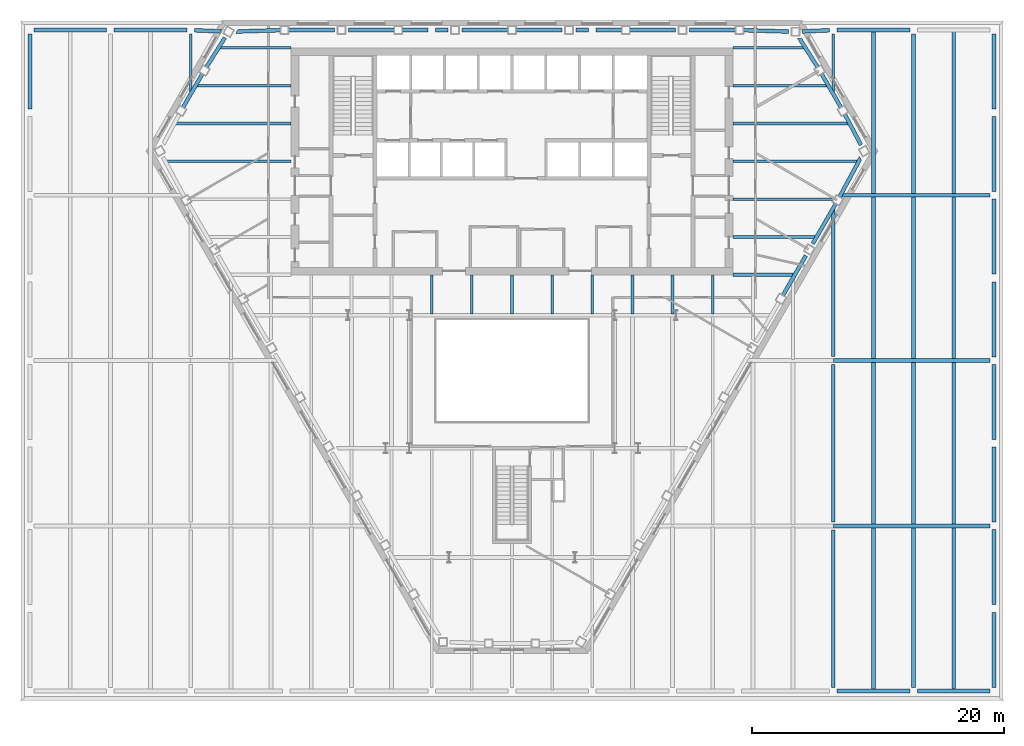
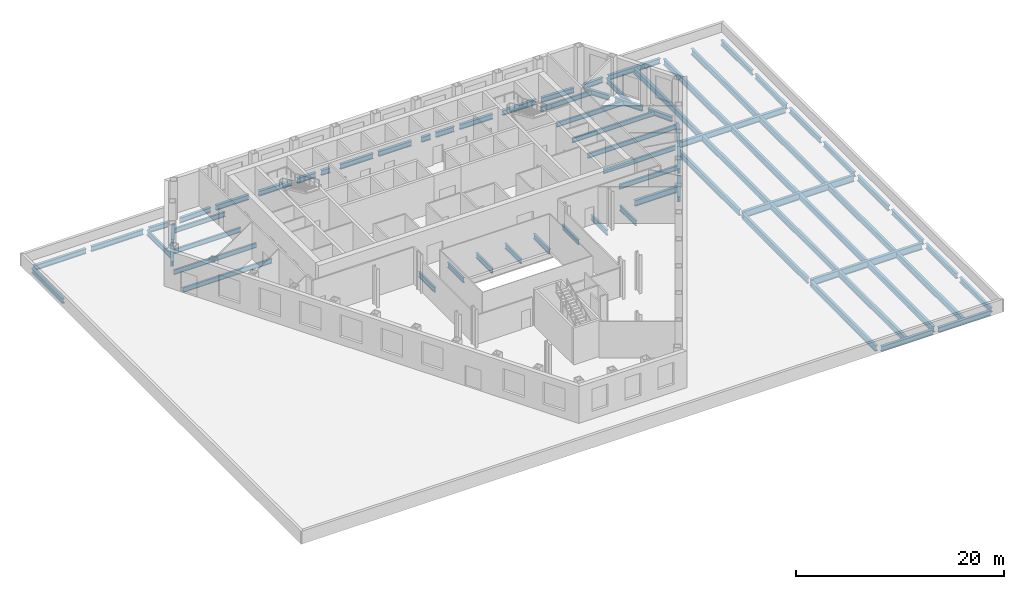
# One storey, part 4 of 14: 75 beams.
"""IFC4 building model written with IfcOpenShell, lengths in metres."""

from ifc_helpers import new_model, si_unit, direction, frame, origin, origin_2d, place, context, subcontext, project, spatial, i_section, extrude, clip, halfspace, material, material_profile, profile_set, type_object, element, save


model = new_model("IFC4")

# Units and contexts
model_context = context("Model", 3, precision=1e-05, world=origin(), true_north=direction((0.0, 1.0)))
body_context = subcontext(model_context, "Body", "Model", "MODEL_VIEW")
ifc_project = project(units=[si_unit("LENGTHUNIT", "METRE"), si_unit("AREAUNIT", "SQUARE_METRE"), si_unit("VOLUMEUNIT", "CUBIC_METRE"), si_unit("PLANEANGLEUNIT", "RADIAN"), si_unit("MASSUNIT", "GRAM", prefix="KILO")], contexts=[model_context])

# Site, building, storey
site_placement = place(None, origin())
site = spatial("IfcSite", under=ifc_project, at=site_placement, CompositionType="ELEMENT")
building_placement = place(site_placement, origin())
building = spatial("IfcBuilding", under=site, at=building_placement, Name="Njiva Tower", CompositionType="ELEMENT")
storey_placement = place(building_placement, frame((0.0, 0.0, 28.8)))
storey = spatial("IfcBuildingStorey", under=building, at=storey_placement, Name="L05", CompositionType="ELEMENT", Elevation=28.8)

# Beams
ifc_material = material(Name="Steel S355 J2", Category="steel")
ifc_material_profile_1 = material_profile(ifc_material, i_section(OverallWidth=0.21, OverallDepth=0.55, WebThickness=0.0111, FlangeThickness=0.0172, at=origin_2d()), Name="IPE 550")
ifc_profile_set_1 = profile_set([ifc_material_profile_1], Name="Steel S355 J2")
beam_type_1 = type_object("IfcBeamType", Name="B10 Floor beam to the core IPE 550", PredefinedType="BEAM", material=ifc_profile_set_1)
beam_1_placement = place(storey_placement, frame((17.5, 3.0, -0.525), z_axis=(1.0, 0.0, 0.0), x_axis=(0.0, 1.0, 0.0)))
element("IfcBeam", 1, at=beam_1_placement, inside=storey, type_object=beam_type_1, Name="Floor beam to the core S01-B007", PredefinedType="BEAM", context=body_context, shape_type="Clipping", body=[
    clip(extrude(i_section(OverallWidth=0.21, OverallDepth=0.55, WebThickness=0.0111, FlangeThickness=0.0172, at=origin_2d()), origin(), (0.0, 0.0, 1.0), 6.611), halfspace(frame((-0.025, 0.0, 6.5159), z_axis=(-0.499998009787, 0.0, 0.866026552831), x_axis=(0.0, 1.0, 0.0)), False)),
])
beam_2_placement = place(storey_placement, frame((17.5, 6.0, -0.525), z_axis=(1.0, 0.0, 0.0), x_axis=(0.0, 1.0, 0.0)))
element("IfcBeam", 2, at=beam_2_placement, inside=storey, type_object=beam_type_1, Name="Floor beam to the core S01-B008", PredefinedType="BEAM", context=body_context, shape_type="Clipping", body=[
    clip(extrude(i_section(OverallWidth=0.21, OverallDepth=0.55, WebThickness=0.0111, FlangeThickness=0.0172, at=origin_2d()), origin(), (0.0, 0.0, 1.0), 8.112), halfspace(frame((-0.025, 0.0, 8.0166), z_axis=(-0.499998009787, 0.0, 0.866026552831), x_axis=(0.0, 1.0, 0.0)), False)),
])
beam_3_placement = place(storey_placement, frame((-26.725, 12.0, -0.525), z_axis=(1.0, 0.0, 0.0), x_axis=(0.0, 1.0, 0.0)))
element("IfcBeam", 3, at=beam_3_placement, inside=storey, type_object=beam_type_1, Name="Floor beam to the core S01-B002", PredefinedType="BEAM", context=body_context, shape_type="Clipping", body=[
    clip(extrude(i_section(OverallWidth=0.21, OverallDepth=0.55, WebThickness=0.0111, FlangeThickness=0.0172, at=origin_2d()), origin(), (0.0, 0.0, 1.0), 9.225), halfspace(frame((0.0234, 0.0, 0.0883), z_axis=(0.467797664386, 0.0, -0.883835587197), x_axis=(0.0, -1.0, 0.0)), False)),
])
beam_4_placement = place(storey_placement, frame((17.5, 12.0, -0.525), z_axis=(1.0, 0.0, 0.0), x_axis=(0.0, 1.0, 0.0)))
element("IfcBeam", 4, at=beam_4_placement, inside=storey, type_object=beam_type_1, Name="Floor beam to the core S01-B010", PredefinedType="BEAM", context=body_context, shape_type="Clipping", body=[
    clip(extrude(i_section(OverallWidth=0.21, OverallDepth=0.55, WebThickness=0.0111, FlangeThickness=0.0172, at=origin_2d()), origin(), (0.0, 0.0, 1.0), 9.225), halfspace(frame((0.0234, 0.0, 9.1367), z_axis=(0.467797664386, 0.0, 0.883835587197), x_axis=(0.0, 1.0, 0.0)), False)),
])
beam_5_placement = place(storey_placement, frame((-25.044, 15.0, -0.525), z_axis=(1.0, 0.0, 0.0), x_axis=(0.0, 1.0, 0.0)))
element("IfcBeam", 5, at=beam_5_placement, inside=storey, type_object=beam_type_1, Name="Floor beam to the core S01-B004", PredefinedType="BEAM", context=body_context, shape_type="Clipping", body=[
    clip(extrude(i_section(OverallWidth=0.21, OverallDepth=0.55, WebThickness=0.0111, FlangeThickness=0.0172, at=origin_2d()), origin(), (0.0, 0.0, 1.0), 7.544), halfspace(frame((0.025, 0.0, 0.0954), z_axis=(0.499998009787, 0.0, -0.866026552831), x_axis=(0.0, -1.0, 0.0)), False)),
])
beam_6_placement = place(storey_placement, frame((17.5, 15.0, -0.525), z_axis=(1.0, 0.0, 0.0), x_axis=(0.0, 1.0, 0.0)))
element("IfcBeam", 6, at=beam_6_placement, inside=storey, type_object=beam_type_1, Name="Floor beam to the core S01-B011", PredefinedType="BEAM", context=body_context, shape_type="Clipping", body=[
    clip(extrude(i_section(OverallWidth=0.21, OverallDepth=0.55, WebThickness=0.0111, FlangeThickness=0.0172, at=origin_2d()), origin(), (0.0, 0.0, 1.0), 7.544), halfspace(frame((0.025, 0.0, 7.4486), z_axis=(0.499998009787, 0.0, 0.866026552831), x_axis=(0.0, 1.0, 0.0)), False)),
])
beam_7_placement = place(storey_placement, frame((-23.224, 18.0, -0.525), z_axis=(1.0, 0.0, 0.0), x_axis=(0.0, 1.0, 0.0)))
element("IfcBeam", 7, at=beam_7_placement, inside=storey, type_object=beam_type_1, Name="Floor beam to the core S01-B006", PredefinedType="BEAM", context=body_context, shape_type="Clipping", body=[
    clip(extrude(i_section(OverallWidth=0.21, OverallDepth=0.55, WebThickness=0.0111, FlangeThickness=0.0172, at=origin_2d()), origin(), (0.0, 0.0, 1.0), 5.724), halfspace(frame((0.0266, 0.0, 0.1025), z_axis=(0.531529760147, 0.0, -0.847039617773), x_axis=(0.0, -1.0, 0.0)), False)),
])
beam_8_placement = place(storey_placement, frame((17.5, 18.0, -0.525), z_axis=(1.0, 0.0, 0.0), x_axis=(0.0, 1.0, 0.0)))
element("IfcBeam", 8, at=beam_8_placement, inside=storey, type_object=beam_type_1, Name="Floor beam to the core S01-B012", PredefinedType="BEAM", context=body_context, shape_type="Clipping", body=[
    clip(extrude(i_section(OverallWidth=0.21, OverallDepth=0.55, WebThickness=0.0111, FlangeThickness=0.0172, at=origin_2d()), origin(), (0.0, 0.0, 1.0), 5.724), halfspace(frame((0.0266, 0.0, 5.6215), z_axis=(0.531529760147, 0.0, 0.847039617773), x_axis=(0.0, 1.0, 0.0)), False)),
])
ifc_material_profile_2 = material_profile(ifc_material, i_section(OverallWidth=0.21, OverallDepth=0.55, WebThickness=0.0111, FlangeThickness=0.0172, at=origin_2d()), Name="IPE 550")
ifc_profile_set_2 = profile_set([ifc_material_profile_2], Name="Steel S355 J2")
beam_type_2 = type_object("IfcBeamType", Name="B11 Long-span floor beam to the core IPE 550", PredefinedType="BEAM", material=ifc_profile_set_2)
beam_9_placement = place(storey_placement, frame((-27.45, 9.0, -0.525), z_axis=(1.0, 0.0, 0.0), x_axis=(0.0, 1.0, 0.0)))
element("IfcBeam", 9, at=beam_9_placement, inside=storey, type_object=beam_type_2, Name="Long-span floor beam to the core S01-B001", PredefinedType="BEAM", context=body_context, shape_type="Clipping", body=[
    clip(extrude(i_section(OverallWidth=0.21, OverallDepth=0.55, WebThickness=0.0111, FlangeThickness=0.0172, at=origin_2d()), origin(), (0.0, 0.0, 1.0), 9.95), halfspace(frame((-0.0237, 0.0, 0.0883), z_axis=(-0.473769423091, 0.0, -0.880648927634), x_axis=(0.0, -1.0, 0.0)), False)),
])
beam_10_placement = place(storey_placement, frame((17.5, 9.0, -0.525), z_axis=(1.0, 0.0, 0.0), x_axis=(0.0, 1.0, 0.0)))
element("IfcBeam", 10, at=beam_10_placement, inside=storey, type_object=beam_type_2, Name="Long-span floor beam to the core S01-B009", PredefinedType="BEAM", context=body_context, shape_type="Clipping", body=[
    clip(extrude(i_section(OverallWidth=0.21, OverallDepth=0.55, WebThickness=0.0111, FlangeThickness=0.0172, at=origin_2d()), origin(), (0.0, 0.0, 1.0), 9.95), halfspace(frame((-0.0237, 0.0, 9.8617), z_axis=(-0.473769423091, 0.0, 0.880648927634), x_axis=(0.0, 1.0, 0.0)), False)),
])
ifc_material_profile_3 = material_profile(ifc_material, i_section(OverallWidth=0.3, OverallDepth=0.69, WebThickness=0.0145, FlangeThickness=0.027, at=origin_2d()), Name="HEA 700")
ifc_profile_set_3 = profile_set([ifc_material_profile_3], Name="Steel S355 J2")
beam_type_3 = type_object("IfcBeamType", Name="B12 Long-span floor joist HEA 700", PredefinedType="JOIST", material=ifc_profile_set_3)
beam_11_placement = place(storey_placement, frame((25.467, 5.299, -0.595), z_axis=(0.0, -1.0, 0.0), x_axis=(1.0, 0.0, 0.0)))
element("IfcBeam", 11, at=beam_11_placement, inside=storey, type_object=beam_type_3, Name="Long-span floor joist S01-B114", PredefinedType="JOIST", context=body_context, shape_type="Clipping", body=[
    clip(extrude(i_section(OverallWidth=0.3, OverallDepth=0.69, WebThickness=0.0145, FlangeThickness=0.027, at=origin_2d()), origin(), (0.0, 0.0, 1.0), 11.791), halfspace(frame((-0.0436, 0.0, 0.2862), z_axis=(-0.866026552831, 0.0, -0.499998009787), x_axis=(0.0, -1.0, 0.0)), False)),
])
beam_12_placement = place(storey_placement, frame((25.467, -7.108, -0.595), z_axis=(0.0, -1.0, 0.0), x_axis=(1.0, 0.0, 0.0)))
element("IfcBeam", 12, at=beam_12_placement, inside=storey, type_object=beam_type_3, Name="Long-span floor joist S01-B113", PredefinedType="JOIST", context=body_context, shape_type="SweptSolid", body=[
    extrude(i_section(OverallWidth=0.3, OverallDepth=0.69, WebThickness=0.0145, FlangeThickness=0.027, at=origin_2d()), origin(), (0.0, 0.0, 1.0), 12.484),
])
beam_13_placement = place(storey_placement, frame((25.467, -20.208, -0.595), z_axis=(0.0, -1.0, 0.0), x_axis=(1.0, 0.0, 0.0)))
element("IfcBeam", 13, at=beam_13_placement, inside=storey, type_object=beam_type_3, Name="Long-span floor joist S01-B112", PredefinedType="JOIST", context=body_context, shape_type="SweptSolid", body=[
    extrude(i_section(OverallWidth=0.3, OverallDepth=0.69, WebThickness=0.0145, FlangeThickness=0.027, at=origin_2d()), origin(), (0.0, 0.0, 1.0), 12.492),
])
for number, where, z_axis, x_axis, name in (
    (14, (28.65, 19.3, -0.595), (0.0, -1.0, 0.0), (1.0, 0.0, 0.0), "Long-span floor joist S01-B119"),
    (15, (28.65, 6.2, -0.595), (0.0, -1.0, 0.0), (1.0, 0.0, 0.0), "Long-span floor joist S01-B118"),
    (16, (28.65, -6.9, -0.595), (0.0, -1.0, 0.0), (1.0, 0.0, 0.0), "Long-span floor joist S01-B117"),
    (17, (28.65, -20.0, -0.595), (0.0, -1.0, 0.0), (1.0, 0.0, 0.0), "Long-span floor joist S01-B116"),
):
    element("IfcBeam", number, at=place(storey_placement, frame(where, z_axis=z_axis, x_axis=x_axis)), inside=storey, type_object=beam_type_3, Name=name, PredefinedType="JOIST", context=body_context, shape_type="SweptSolid", body=[
        extrude(i_section(OverallWidth=0.3, OverallDepth=0.69, WebThickness=0.0145, FlangeThickness=0.027, at=origin_2d()), origin(), (0.0, 0.0, 1.0), 12.9),
    ])
beam_14_placement = place(storey_placement, frame((31.833, 19.1, -0.595), z_axis=(0.0, -1.0, 0.0), x_axis=(1.0, 0.0, 0.0)))
element("IfcBeam", 18, at=beam_14_placement, inside=storey, type_object=beam_type_3, Name="Long-span floor joist S01-B123", PredefinedType="JOIST", context=body_context, shape_type="SweptSolid", body=[
    extrude(i_section(OverallWidth=0.3, OverallDepth=0.69, WebThickness=0.0145, FlangeThickness=0.027, at=origin_2d()), origin(), (0.0, 0.0, 1.0), 12.7),
])
for number, where, z_axis, x_axis, name in (
    (19, (31.833, 6.2, -0.595), (0.0, -1.0, 0.0), (1.0, 0.0, 0.0), "Long-span floor joist S01-B122"),
    (20, (31.833, -6.9, -0.595), (0.0, -1.0, 0.0), (1.0, 0.0, 0.0), "Long-span floor joist S01-B121"),
):
    element("IfcBeam", number, at=place(storey_placement, frame(where, z_axis=z_axis, x_axis=x_axis)), inside=storey, type_object=beam_type_3, Name=name, PredefinedType="JOIST", context=body_context, shape_type="SweptSolid", body=[
        extrude(i_section(OverallWidth=0.3, OverallDepth=0.69, WebThickness=0.0145, FlangeThickness=0.027, at=origin_2d()), origin(), (0.0, 0.0, 1.0), 12.9),
    ])
beam_15_placement = place(storey_placement, frame((31.833, -20.0, -0.595), z_axis=(0.0, -1.0, 0.0), x_axis=(1.0, 0.0, 0.0)))
element("IfcBeam", 21, at=beam_15_placement, inside=storey, type_object=beam_type_3, Name="Long-span floor joist S01-B120", PredefinedType="JOIST", context=body_context, shape_type="SweptSolid", body=[
    extrude(i_section(OverallWidth=0.3, OverallDepth=0.69, WebThickness=0.0145, FlangeThickness=0.027, at=origin_2d()), origin(), (0.0, 0.0, 1.0), 12.7),
])
for number, where, z_axis, x_axis, name in (
    (22, (35.017, 19.3, -0.595), (0.0, -1.0, 0.0), (1.0, 0.0, 0.0), "Long-span floor joist S01-B127"),
    (23, (35.017, 6.2, -0.595), (0.0, -1.0, 0.0), (1.0, 0.0, 0.0), "Long-span floor joist S01-B126"),
    (24, (35.017, -6.9, -0.595), (0.0, -1.0, 0.0), (1.0, 0.0, 0.0), "Long-span floor joist S01-B125"),
    (25, (35.017, -20.0, -0.595), (0.0, -1.0, 0.0), (1.0, 0.0, 0.0), "Long-span floor joist S01-B124"),
):
    element("IfcBeam", number, at=place(storey_placement, frame(where, z_axis=z_axis, x_axis=x_axis)), inside=storey, type_object=beam_type_3, Name=name, PredefinedType="JOIST", context=body_context, shape_type="SweptSolid", body=[
        extrude(i_section(OverallWidth=0.3, OverallDepth=0.69, WebThickness=0.0145, FlangeThickness=0.027, at=origin_2d()), origin(), (0.0, 0.0, 1.0), 12.9),
    ])
ifc_material_profile_4 = material_profile(ifc_material, i_section(OverallWidth=0.22, OverallDepth=0.6, WebThickness=0.012, FlangeThickness=0.019, at=origin_2d()), Name="IPE 600")
ifc_profile_set_4 = profile_set([ifc_material_profile_4], Name="Steel S355 J2")
beam_type_4 = type_object("IfcBeamType", Name="B13 Floor joist IPE 600", PredefinedType="JOIST", material=ifc_profile_set_4)
beam_16_placement = place(storey_placement, frame((-25.467, 19.1, -0.55), z_axis=(0.0, -1.0, 0.0), x_axis=(1.0, 0.0, 0.0)))
element("IfcBeam", 26, at=beam_16_placement, inside=storey, type_object=beam_type_4, Name="Floor joist S01-B051", PredefinedType="JOIST", context=body_context, shape_type="Clipping", body=[
    clip(extrude(i_section(OverallWidth=0.22, OverallDepth=0.6, WebThickness=0.012, FlangeThickness=0.019, at=origin_2d()), origin(), (0.0, 0.0, 1.0), 4.783), halfspace(frame((0.0436, 0.0, 4.4974), z_axis=(0.866026552831, 0.0, 0.499998009787), x_axis=(0.0, 1.0, 0.0)), False)),
])
beam_17_placement = place(storey_placement, frame((25.467, 19.1, -0.55), z_axis=(0.0, -1.0, 0.0), x_axis=(1.0, 0.0, 0.0)))
element("IfcBeam", 27, at=beam_17_placement, inside=storey, type_object=beam_type_4, Name="Floor joist S01-B115", PredefinedType="JOIST", context=body_context, shape_type="Clipping", body=[
    clip(extrude(i_section(OverallWidth=0.22, OverallDepth=0.6, WebThickness=0.012, FlangeThickness=0.019, at=origin_2d()), origin(), (0.0, 0.0, 1.0), 4.783), halfspace(frame((-0.0436, 0.0, 4.4974), z_axis=(-0.866026552831, 0.0, 0.499998009787), x_axis=(0.0, 1.0, 0.0)), False)),
])
ifc_material_profile_5 = material_profile(ifc_material, i_section(OverallWidth=0.22, OverallDepth=0.6, WebThickness=0.012, FlangeThickness=0.019, at=origin_2d()), Name="IPE 600")
ifc_profile_set_5 = profile_set([ifc_material_profile_5], Name="Steel S355 J2")
beam_type_5 = type_object("IfcBeamType", Name="B14 Short-span floor joist IPE 600", PredefinedType="JOIST", material=ifc_profile_set_5)
for number, where, z_axis, x_axis, name in (
    (28, (-6.367, -0.005, -0.55), (0.0, -1.0, 0.0), (1.0, 0.0, 0.0), "Short-span floor joist S01-B075"),
    (29, (-3.183, -0.005, -0.55), (0.0, -1.0, 0.0), (1.0, 0.0, 0.0), "Short-span floor joist S01-B079"),
    (30, (0.0, -0.005, -0.55), (0.0, -1.0, 0.0), (1.0, 0.0, 0.0), "Short-span floor joist S01-B083"),
    (31, (3.183, -0.005, -0.55), (0.0, -1.0, 0.0), (1.0, 0.0, 0.0), "Short-span floor joist S01-B087"),
    (32, (6.367, -0.005, -0.55), (0.0, -1.0, 0.0), (1.0, 0.0, 0.0), "Short-span floor joist S01-B091"),
):
    element("IfcBeam", number, at=place(storey_placement, frame(where, z_axis=z_axis, x_axis=x_axis)), inside=storey, type_object=beam_type_5, Name=name, PredefinedType="JOIST", context=body_context, shape_type="SweptSolid", body=[
        extrude(i_section(OverallWidth=0.22, OverallDepth=0.6, WebThickness=0.012, FlangeThickness=0.019, at=origin_2d()), origin(), (0.0, 0.0, 1.0), 3.094),
    ])
for number, where, z_axis, x_axis, name in (
    (33, (9.55, -0.005, -0.55), (0.0, -1.0, 0.0), (1.0, 0.0, 0.0), "Short-span floor joist S01-B095"),
    (34, (12.733, -0.005, -0.55), (0.0, -1.0, 0.0), (1.0, 0.0, 0.0), "Short-span floor joist S01-B100"),
    (35, (15.917, -0.005, -0.55), (0.0, -1.0, 0.0), (1.0, 0.0, 0.0), "Short-span floor joist S01-B104"),
):
    element("IfcBeam", number, at=place(storey_placement, frame(where, z_axis=z_axis, x_axis=x_axis)), inside=storey, type_object=beam_type_5, Name=name, PredefinedType="JOIST", context=body_context, shape_type="SweptSolid", body=[
        extrude(i_section(OverallWidth=0.22, OverallDepth=0.6, WebThickness=0.012, FlangeThickness=0.019, at=origin_2d()), origin(), (0.0, 0.0, 1.0), 3.095),
    ])
ifc_material_profile_6 = material_profile(ifc_material, i_section(OverallWidth=0.3, OverallDepth=0.69, WebThickness=0.0145, FlangeThickness=0.027, at=origin_2d()), Name="HEA 700")
ifc_profile_set_6 = profile_set([ifc_material_profile_6], Name="Steel S355 J2")
beam_type_6 = type_object("IfcBeamType", Name="B15 Floor girder HEA 700", PredefinedType="BEAM", material=ifc_profile_set_6)
beam_18_placement = place(storey_placement, frame((17.5, 0.0, -0.595), z_axis=(1.0, 0.0, 0.0), x_axis=(0.0, 1.0, 0.0)))
element("IfcBeam", 36, at=beam_18_placement, inside=storey, type_object=beam_type_6, Name="Floor girder S01-B031", PredefinedType="BEAM", context=body_context, shape_type="Clipping", body=[
    clip(extrude(i_section(OverallWidth=0.3, OverallDepth=0.69, WebThickness=0.0145, FlangeThickness=0.027, at=origin_2d()), origin(), (0.0, 0.0, 1.0), 4.905), halfspace(frame((-0.025, 0.0, 4.7839), z_axis=(-0.499998009787, 0.0, 0.866026552831), x_axis=(0.0, 1.0, 0.0)), False)),
])
ifc_material_profile_7 = material_profile(ifc_material, i_section(OverallWidth=0.3, OverallDepth=0.69, WebThickness=0.0145, FlangeThickness=0.027, at=origin_2d()), Name="HEA 700")
ifc_profile_set_7 = profile_set([ifc_material_profile_7], Name="Steel S355 J2")
beam_type_7 = type_object("IfcBeamType", Name="B17 Long-span floor girder HEA 700", PredefinedType="BEAM", material=ifc_profile_set_7)
beam_19_placement = place(storey_placement, frame((26.048, 6.3, -0.595), z_axis=(1.0, 0.0, 0.0), x_axis=(0.0, 1.0, 0.0)))
element("IfcBeam", 37, at=beam_19_placement, inside=storey, type_object=beam_type_7, Name="Long-span floor girder S01-B035", PredefinedType="BEAM", context=body_context, shape_type="Clipping", body=[
    clip(extrude(i_section(OverallWidth=0.3, OverallDepth=0.69, WebThickness=0.0145, FlangeThickness=0.027, at=origin_2d()), origin(), (0.0, 0.0, 1.0), 11.852), halfspace(frame((0.0237, 0.0, 0.1138), z_axis=(0.473769423091, 0.0, -0.880648927634), x_axis=(0.0, -1.0, 0.0)), False)),
])
ifc_material_profile_8 = material_profile(ifc_material, i_section(OverallWidth=0.3, OverallDepth=0.6, WebThickness=0.0155, FlangeThickness=0.03, at=origin_2d()), Name="HEB 600")
ifc_profile_set_8 = profile_set([ifc_material_profile_8], Name="Steel S355 J2")
beam_type_8 = type_object("IfcBeamType", Name="B2 Spandrel beam HEB 600", PredefinedType="SPANDREL", material=ifc_profile_set_8)
for number, where, z_axis, x_axis, name in (
    (38, (38.2, -32.7, -0.55), (0.0, 1.0, 0.0), (-1.0, 0.0, 0.0), "Spandrel beam S01-B199"),
    (39, (38.2, -26.15, -0.55), (0.0, 1.0, 0.0), (-1.0, 0.0, 0.0), "Spandrel beam S01-B200"),
    (40, (38.2, -19.6, -0.55), (0.0, 1.0, 0.0), (-1.0, 0.0, 0.0), "Spandrel beam S01-B201"),
    (41, (38.2, -13.05, -0.55), (0.0, 1.0, 0.0), (-1.0, 0.0, 0.0), "Spandrel beam S01-B202"),
    (42, (38.2, -6.5, -0.55), (0.0, 1.0, 0.0), (-1.0, 0.0, 0.0), "Spandrel beam S01-B203"),
    (43, (38.2, 0.05, -0.55), (0.0, 1.0, 0.0), (-1.0, 0.0, 0.0), "Spandrel beam S01-B204"),
    (44, (38.2, 6.6, -0.55), (0.0, 1.0, 0.0), (-1.0, 0.0, 0.0), "Spandrel beam S01-B205"),
    (45, (38.2, 13.15, -0.55), (0.0, 1.0, 0.0), (-1.0, 0.0, 0.0), "Spandrel beam S01-B206"),
    (46, (-38.2, 19.1, -0.55), (0.0, -1.0, 0.0), (1.0, 0.0, 0.0), "Spandrel beam S01-B139"),
):
    element("IfcBeam", number, at=place(storey_placement, frame(where, z_axis=z_axis, x_axis=x_axis)), inside=storey, type_object=beam_type_8, Name=name, PredefinedType="SPANDREL", context=body_context, shape_type="SweptSolid", body=[
        extrude(i_section(OverallWidth=0.3, OverallDepth=0.6, WebThickness=0.0155, FlangeThickness=0.03, at=origin_2d()), origin(), (0.0, 0.0, 1.0), 5.95),
    ])
beam_20_placement = place(storey_placement, frame((25.767, -33.0, -0.55), z_axis=(1.0, 0.0, 0.0), x_axis=(0.0, 1.0, 0.0)))
element("IfcBeam", 47, at=beam_20_placement, inside=storey, type_object=beam_type_8, Name="Spandrel beam S01-B193", PredefinedType="SPANDREL", context=body_context, shape_type="SweptSolid", body=[
    extrude(i_section(OverallWidth=0.3, OverallDepth=0.6, WebThickness=0.0155, FlangeThickness=0.03, at=origin_2d()), origin(), (0.0, 0.0, 1.0), 5.766),
])
for number, where, z_axis, x_axis, name in (
    (48, (32.133, -33.0, -0.55), (1.0, 0.0, 0.0), (0.0, 1.0, 0.0), "Spandrel beam S01-B197"),
    (49, (-37.9, 19.4, -0.55), (1.0, 0.0, 0.0), (0.0, 1.0, 0.0), "Spandrel beam S01-B141"),
):
    element("IfcBeam", number, at=place(storey_placement, frame(where, z_axis=z_axis, x_axis=x_axis)), inside=storey, type_object=beam_type_8, Name=name, PredefinedType="SPANDREL", context=body_context, shape_type="SweptSolid", body=[
        extrude(i_section(OverallWidth=0.3, OverallDepth=0.6, WebThickness=0.0155, FlangeThickness=0.03, at=origin_2d()), origin(), (0.0, 0.0, 1.0), 5.767),
    ])
for number, where, z_axis, x_axis, name in (
    (50, (-31.533, 19.4, -0.55), (1.0, 0.0, 0.0), (0.0, 1.0, 0.0), "Spandrel beam S01-B143"),
    (51, (25.767, 19.4, -0.55), (1.0, 0.0, 0.0), (0.0, 1.0, 0.0), "Spandrel beam S01-B194"),
):
    element("IfcBeam", number, at=place(storey_placement, frame(where, z_axis=z_axis, x_axis=x_axis)), inside=storey, type_object=beam_type_8, Name=name, PredefinedType="SPANDREL", context=body_context, shape_type="SweptSolid", body=[
        extrude(i_section(OverallWidth=0.3, OverallDepth=0.6, WebThickness=0.0155, FlangeThickness=0.03, at=origin_2d()), origin(), (0.0, 0.0, 1.0), 5.766),
    ])
ifc_material_profile_9 = material_profile(ifc_material, i_section(OverallWidth=0.3, OverallDepth=0.6, WebThickness=0.0155, FlangeThickness=0.03, at=origin_2d()), Name="HEB 600")
ifc_profile_set_9 = profile_set([ifc_material_profile_9], Name="Steel S355 J2")
beam_type_9 = type_object("IfcBeamType", Name="B3 Short-span spandrel beam HEB 600", PredefinedType="SPANDREL", material=ifc_profile_set_9)
beam_21_placement = place(storey_placement, frame((-22.756, 18.797, -0.55), z_axis=(-0.531562487647, -0.847019079907, 0.0), x_axis=(0.847019079907, -0.531562487647, 0.0)))
element("IfcBeam", 52, at=beam_21_placement, inside=storey, type_object=beam_type_9, Name="Short-span spandrel beam S01-B150", PredefinedType="SPANDREL", context=body_context, shape_type="SweptSolid", body=[
    extrude(i_section(OverallWidth=0.3, OverallDepth=0.6, WebThickness=0.0155, FlangeThickness=0.03, at=origin_2d()), origin(), (0.0, 0.0, 1.0), 2.7579),
])
beam_22_placement = place(storey_placement, frame((-24.534, 15.943, -0.55), z_axis=(-0.499965068118, -0.866045570776, 0.0), x_axis=(0.866045570776, -0.499965068118, 0.0)))
element("IfcBeam", 53, at=beam_22_placement, inside=storey, type_object=beam_type_9, Name="Short-span spandrel beam S01-B146", PredefinedType="SPANDREL", context=body_context, shape_type="SweptSolid", body=[
    extrude(i_section(OverallWidth=0.3, OverallDepth=0.6, WebThickness=0.0155, FlangeThickness=0.03, at=origin_2d()), origin(), (0.0, 0.0, 1.0), 3.0922),
])
beam_23_placement = place(storey_placement, frame((21.465, -1.643, -0.55), z_axis=(0.500109033781, 0.865962443949, 0.0), x_axis=(-0.865962443949, 0.500109033781, 0.0)))
element("IfcBeam", 54, at=beam_23_placement, inside=storey, type_object=beam_type_9, Name="Short-span spandrel beam S01-B188", PredefinedType="SPANDREL", context=body_context, shape_type="SweptSolid", body=[
    extrude(i_section(OverallWidth=0.3, OverallDepth=0.6, WebThickness=0.0155, FlangeThickness=0.03, at=origin_2d()), origin(), (0.0, 0.0, 1.0), 3.6572),
])
beam_24_placement = place(storey_placement, frame((23.844, 2.477, -0.55), z_axis=(0.499903946755, 0.866080853049, 0.0), x_axis=(-0.866080853049, 0.499903946755, 0.0)))
element("IfcBeam", 55, at=beam_24_placement, inside=storey, type_object=beam_type_9, Name="Short-span spandrel beam S01-B191", PredefinedType="SPANDREL", context=body_context, shape_type="SweptSolid", body=[
    extrude(i_section(OverallWidth=0.3, OverallDepth=0.6, WebThickness=0.0155, FlangeThickness=0.03, at=origin_2d()), origin(), (0.0, 0.0, 1.0), 3.6567),
])
beam_25_placement = place(storey_placement, frame((25.966, 6.171, -0.55), z_axis=(0.473877298148, 0.880590884747, 0.0), x_axis=(-0.880590884747, 0.473877298148, 0.0)))
element("IfcBeam", 56, at=beam_25_placement, inside=storey, type_object=beam_type_9, Name="Short-span spandrel beam S01-B195", PredefinedType="SPANDREL", context=body_context, shape_type="Clipping", body=[
    clip(extrude(i_section(OverallWidth=0.3, OverallDepth=0.6, WebThickness=0.0155, FlangeThickness=0.03, at=origin_2d()), origin(), (0.0, 0.0, 1.0), 3.597), halfspace(frame((-0.026, 0.0, 3.4674), z_axis=(-0.525677382415, 0.0, 0.85068401279), x_axis=(0.0, 1.0, 0.0)), False)),
])
beam_26_placement = place(storey_placement, frame((27.663, 10.298, -0.55), z_axis=(-0.467687816738, 0.883893718766, 0.0), x_axis=(-0.883893718766, -0.467687816738, 0.0)))
element("IfcBeam", 57, at=beam_26_placement, inside=storey, type_object=beam_type_9, Name="Short-span spandrel beam S01-B196", PredefinedType="SPANDREL", context=body_context, shape_type="SweptSolid", body=[
    extrude(i_section(OverallWidth=0.3, OverallDepth=0.6, WebThickness=0.0155, FlangeThickness=0.03, at=origin_2d()), origin(), (0.0, 0.0, 1.0), 2.7583),
])
beam_27_placement = place(storey_placement, frame((26.08, 13.265, -0.55), z_axis=(-0.499965068118, 0.866045570776, 0.0), x_axis=(-0.866045570776, -0.499965068118, 0.0)))
element("IfcBeam", 58, at=beam_27_placement, inside=storey, type_object=beam_type_9, Name="Short-span spandrel beam S01-B192", PredefinedType="SPANDREL", context=body_context, shape_type="SweptSolid", body=[
    extrude(i_section(OverallWidth=0.3, OverallDepth=0.6, WebThickness=0.0155, FlangeThickness=0.03, at=origin_2d()), origin(), (0.0, 0.0, 1.0), 3.0922),
])
beam_28_placement = place(storey_placement, frame((24.222, 16.461, -0.55), z_axis=(-0.531617833128, 0.846984344306, 0.0), x_axis=(-0.846984344306, -0.531617833128, 0.0)))
element("IfcBeam", 59, at=beam_28_placement, inside=storey, type_object=beam_type_9, Name="Short-span spandrel beam S01-B189", PredefinedType="SPANDREL", context=body_context, shape_type="Clipping", body=[
    clip(extrude(i_section(OverallWidth=0.3, OverallDepth=0.6, WebThickness=0.0155, FlangeThickness=0.03, at=origin_2d()), origin(), (0.0, 0.0, 1.0), 2.7776), halfspace(frame((-0.0268, 0.0, 2.6467), z_axis=(-0.531617833128, 0.0, 0.846984344306), x_axis=(0.0, 1.0, 0.0)), False)),
])
beam_29_placement = place(storey_placement, frame((-25.161, 19.386, -0.55), z_axis=(0.999024189577, -0.044166374551, 0.0), x_axis=(0.044166374551, 0.999024189577, 0.0)))
element("IfcBeam", 60, at=beam_29_placement, inside=storey, type_object=beam_type_9, Name="Short-span spandrel beam S01-B149", PredefinedType="SPANDREL", context=body_context, shape_type="Clipping", body=[
    clip(extrude(i_section(OverallWidth=0.3, OverallDepth=0.6, WebThickness=0.0155, FlangeThickness=0.03, at=origin_2d()), origin(), (0.0, 0.0, 1.0), 2.181), halfspace(frame((-0.0228, 0.0, 2.0707), z_axis=(-0.461260853414, 0.0, 0.887264574469), x_axis=(0.0, 1.0, 0.0)), False)),
])
beam_30_placement = place(storey_placement, frame((-21.9279, 19.2826, -0.55), z_axis=(0.999545384413, 0.030150033141, 0.0), x_axis=(-0.030150033141, 0.999545384413, 0.0)))
element("IfcBeam", 61, at=beam_30_placement, inside=storey, type_object=beam_type_9, Name="Short-span spandrel beam S01-B152", PredefinedType="SPANDREL", context=body_context, shape_type="Clipping", body=[
    clip(extrude(i_section(OverallWidth=0.3, OverallDepth=0.6, WebThickness=0.0155, FlangeThickness=0.03, at=origin_2d()), origin(), (0.0, 0.0, 1.0), 3.5956), halfspace(frame((0.0266, 0.0, 0.1295), z_axis=(0.525881432167, 0.0, -0.850557887096), x_axis=(0.0, -1.0, 0.0)), False)),
])
beam_31_placement = place(storey_placement, frame((-17.73, 19.4, -0.55), z_axis=(1.0, 0.0, 0.0), x_axis=(0.0, 1.0, 0.0)))
element("IfcBeam", 62, at=beam_31_placement, inside=storey, type_object=beam_type_9, Name="Short-span spandrel beam S01-B155", PredefinedType="SPANDREL", context=body_context, shape_type="SweptSolid", body=[
    extrude(i_section(OverallWidth=0.3, OverallDepth=0.6, WebThickness=0.0155, FlangeThickness=0.03, at=origin_2d()), origin(), (0.0, 0.0, 1.0), 3.657),
])
beam_32_placement = place(storey_placement, frame((-12.973, 19.4, -0.55), z_axis=(1.0, 0.0, 0.0), x_axis=(0.0, 1.0, 0.0)))
element("IfcBeam", 63, at=beam_32_placement, inside=storey, type_object=beam_type_9, Name="Short-span spandrel beam S01-B159", PredefinedType="SPANDREL", context=body_context, shape_type="SweptSolid", body=[
    extrude(i_section(OverallWidth=0.3, OverallDepth=0.6, WebThickness=0.0155, FlangeThickness=0.03, at=origin_2d()), origin(), (0.0, 0.0, 1.0), 3.658),
])
beam_33_placement = place(storey_placement, frame((-8.715, 19.4, -0.55), z_axis=(1.0, 0.0, 0.0), x_axis=(0.0, 1.0, 0.0)))
element("IfcBeam", 64, at=beam_33_placement, inside=storey, type_object=beam_type_9, Name="Short-span spandrel beam S01-B163", PredefinedType="SPANDREL", context=body_context, shape_type="SweptSolid", body=[
    extrude(i_section(OverallWidth=0.3, OverallDepth=0.6, WebThickness=0.0155, FlangeThickness=0.03, at=origin_2d()), origin(), (0.0, 0.0, 1.0), 2.048),
])
beam_34_placement = place(storey_placement, frame((-6.067, 19.4, -0.55), z_axis=(1.0, 0.0, 0.0), x_axis=(0.0, 1.0, 0.0)))
element("IfcBeam", 65, at=beam_34_placement, inside=storey, type_object=beam_type_9, Name="Short-span spandrel beam S01-B166", PredefinedType="SPANDREL", context=body_context, shape_type="SweptSolid", body=[
    extrude(i_section(OverallWidth=0.3, OverallDepth=0.6, WebThickness=0.0155, FlangeThickness=0.03, at=origin_2d()), origin(), (0.0, 0.0, 1.0), 1.009),
])
for number, where, z_axis, x_axis, name in (
    (66, (-3.958, 19.4, -0.55), (1.0, 0.0, 0.0), (0.0, 1.0, 0.0), "Short-span spandrel beam S01-B168"),
    (67, (0.3, 19.4, -0.55), (1.0, 0.0, 0.0), (0.0, 1.0, 0.0), "Short-span spandrel beam S01-B171"),
):
    element("IfcBeam", number, at=place(storey_placement, frame(where, z_axis=z_axis, x_axis=x_axis)), inside=storey, type_object=beam_type_9, Name=name, PredefinedType="SPANDREL", context=body_context, shape_type="SweptSolid", body=[
        extrude(i_section(OverallWidth=0.3, OverallDepth=0.6, WebThickness=0.0155, FlangeThickness=0.03, at=origin_2d()), origin(), (0.0, 0.0, 1.0), 3.658),
    ])
beam_35_placement = place(storey_placement, frame((5.058, 19.4, -0.55), z_axis=(1.0, 0.0, 0.0), x_axis=(0.0, 1.0, 0.0)))
element("IfcBeam", 68, at=beam_35_placement, inside=storey, type_object=beam_type_9, Name="Short-span spandrel beam S01-B173", PredefinedType="SPANDREL", context=body_context, shape_type="SweptSolid", body=[
    extrude(i_section(OverallWidth=0.3, OverallDepth=0.6, WebThickness=0.0155, FlangeThickness=0.03, at=origin_2d()), origin(), (0.0, 0.0, 1.0), 1.009),
])
beam_36_placement = place(storey_placement, frame((6.667, 19.4, -0.55), z_axis=(1.0, 0.0, 0.0), x_axis=(0.0, 1.0, 0.0)))
element("IfcBeam", 69, at=beam_36_placement, inside=storey, type_object=beam_type_9, Name="Short-span spandrel beam S01-B176", PredefinedType="SPANDREL", context=body_context, shape_type="SweptSolid", body=[
    extrude(i_section(OverallWidth=0.3, OverallDepth=0.6, WebThickness=0.0155, FlangeThickness=0.03, at=origin_2d()), origin(), (0.0, 0.0, 1.0), 2.048),
])
beam_37_placement = place(storey_placement, frame((9.315, 19.4, -0.55), z_axis=(1.0, 0.0, 0.0), x_axis=(0.0, 1.0, 0.0)))
element("IfcBeam", 70, at=beam_37_placement, inside=storey, type_object=beam_type_9, Name="Short-span spandrel beam S01-B178", PredefinedType="SPANDREL", context=body_context, shape_type="SweptSolid", body=[
    extrude(i_section(OverallWidth=0.3, OverallDepth=0.6, WebThickness=0.0155, FlangeThickness=0.03, at=origin_2d()), origin(), (0.0, 0.0, 1.0), 3.658),
])
beam_38_placement = place(storey_placement, frame((14.073, 19.4, -0.55), z_axis=(1.0, 0.0, 0.0), x_axis=(0.0, 1.0, 0.0)))
element("IfcBeam", 71, at=beam_38_placement, inside=storey, type_object=beam_type_9, Name="Short-span spandrel beam S01-B182", PredefinedType="SPANDREL", context=body_context, shape_type="SweptSolid", body=[
    extrude(i_section(OverallWidth=0.3, OverallDepth=0.6, WebThickness=0.0155, FlangeThickness=0.03, at=origin_2d()), origin(), (0.0, 0.0, 1.0), 3.657),
])
beam_39_placement = place(storey_placement, frame((18.334, 19.391, -0.55), z_axis=(0.999551895261, -0.029933404084, 0.0), x_axis=(0.029933404084, 0.999551895261, 0.0)))
element("IfcBeam", 72, at=beam_39_placement, inside=storey, type_object=beam_type_9, Name="Short-span spandrel beam S01-B186", PredefinedType="SPANDREL", context=body_context, shape_type="SweptSolid", body=[
    extrude(i_section(OverallWidth=0.3, OverallDepth=0.6, WebThickness=0.0155, FlangeThickness=0.03, at=origin_2d()), origin(), (0.0, 0.0, 1.0), 3.5746),
])
beam_40_placement = place(storey_placement, frame((23.017, 19.291, -0.55), z_axis=(0.999019768344, 0.04426626772, 0.0), x_axis=(-0.04426626772, 0.999019768344, 0.0)))
element("IfcBeam", 73, at=beam_40_placement, inside=storey, type_object=beam_type_9, Name="Short-span spandrel beam S01-B190", PredefinedType="SPANDREL", context=body_context, shape_type="SweptSolid", body=[
    extrude(i_section(OverallWidth=0.3, OverallDepth=0.6, WebThickness=0.0155, FlangeThickness=0.03, at=origin_2d()), origin(), (0.0, 0.0, 1.0), 2.1461),
])
ifc_material_profile_10 = material_profile(ifc_material, i_section(OverallWidth=0.3, OverallDepth=0.79, WebThickness=0.015, FlangeThickness=0.028, at=origin_2d()), Name="HEA 800")
ifc_profile_set_10 = profile_set([ifc_material_profile_10], Name="Steel S355 J2")
beam_type_10 = type_object("IfcBeamType", Name="B6 Long-span floor girder HEA 800", PredefinedType="BEAM", material=ifc_profile_set_10)
for number, where, z_axis, x_axis, name in (
    (74, (25.467, -6.8, -0.645), (1.0, 0.0, 0.0), (0.0, 1.0, 0.0), "Long-span floor girder S01-B034"),
    (75, (25.467, -19.9, -0.645), (1.0, 0.0, 0.0), (0.0, 1.0, 0.0), "Long-span floor girder S01-B033"),
):
    element("IfcBeam", number, at=place(storey_placement, frame(where, z_axis=z_axis, x_axis=x_axis)), inside=storey, type_object=beam_type_10, Name=name, PredefinedType="BEAM", context=body_context, shape_type="SweptSolid", body=[
        extrude(i_section(OverallWidth=0.3, OverallDepth=0.79, WebThickness=0.015, FlangeThickness=0.028, at=origin_2d()), origin(), (0.0, 0.0, 1.0), 12.433),
    ])

save(model, "model.ifc")
